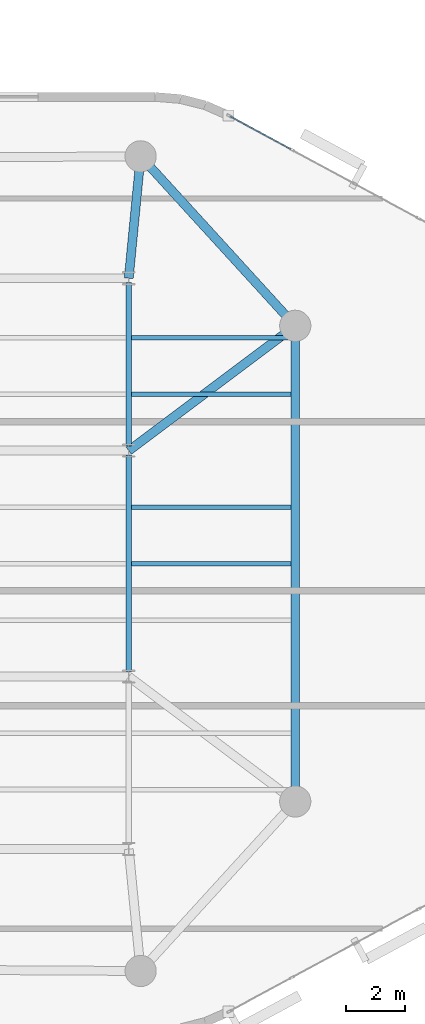
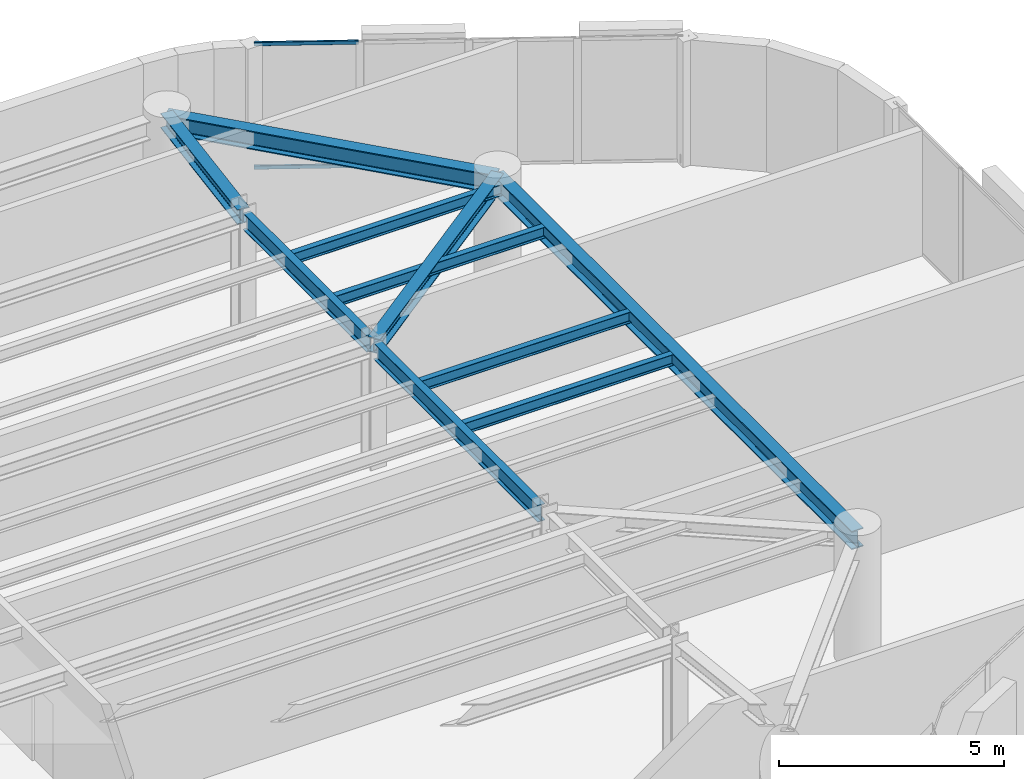
# One storey, part 5 of 13: 10 beams, 2 members, 1 element without a shape of its own.
"""IFC4 building model written with IfcOpenShell, lengths in metres."""

from ifc_helpers import new_model, si_unit, direction, frame, origin, origin_2d, place, context, subcontext, project, spatial, hollow_rectangle, i_section, extrude, material, layer, layer_set, material_profile, profile_set, type_object, element, aggregate, save


model = new_model("IFC4")

# Units and contexts
model_context = context("Model", 3, precision=1e-05, world=origin(), true_north=direction((0.0, 1.0)))
body_context = subcontext(model_context, "Body", "Model", "MODEL_VIEW")
ifc_project = project(units=[si_unit("LENGTHUNIT", "METRE"), si_unit("AREAUNIT", "SQUARE_METRE"), si_unit("VOLUMEUNIT", "CUBIC_METRE"), si_unit("PLANEANGLEUNIT", "RADIAN"), si_unit("MASSUNIT", "GRAM", prefix="KILO")], contexts=[model_context])

# Site, building, storey
site_placement = place(None, origin())
site = spatial("IfcSite", under=ifc_project, at=site_placement, CompositionType="ELEMENT")
building_placement = place(site_placement, origin())
building = spatial("IfcBuilding", under=site, at=building_placement, Name="An Khanh Terracotta Commons", CompositionType="ELEMENT")
storey_placement = place(building_placement, frame((0.0, 0.0, 222.89990234375)))
storey = spatial("IfcBuildingStorey", under=building, at=storey_placement, Name="L58", CompositionType="ELEMENT", Elevation=222.89990234375)

# Beams
ifc_material_1 = material(Name="Steel S355J2", Category="steel")
ifc_material_profile_1 = material_profile(ifc_material_1, i_section(OverallWidth=0.300048828125, OverallDepth=0.39990234375, WebThickness=0.013427734375, FlangeThickness=0.02392578125, FilletRadius=0.027099609375, at=origin_2d()), Name="HEB400")
ifc_profile_set_1 = profile_set([ifc_material_profile_1], Name="Steel S355J2")
beam_type_1 = type_object("IfcBeamType", Name="BM-HEB400", PredefinedType="BEAM", material=ifc_profile_set_1)
beam_1_placement = place(storey_placement, frame((59.60009765625, 32.0, 3.2001953125), z_axis=(-0.800008370399, -0.599988839305, 0.0), x_axis=(0.599988839305, -0.800008370399, 0.0)))
element("IfcBeam", 1, at=beam_1_placement, inside=storey, type_object=beam_type_1, Name="L58 Mega-Column Tie Girder 4", PredefinedType="BEAM", context=body_context, shape_type="SweptSolid", body=[
    extrude(i_section(OverallWidth=0.300048828125, OverallDepth=0.39990234375, WebThickness=0.013427734375, FlangeThickness=0.02392578125, FilletRadius=0.027099609375, at=origin_2d()), origin(), (0.0, 0.0, 1.0), 7.0),
])
beam_2_placement = place(storey_placement, frame((54.39990234375, 37.699951171875, 3.2001953125), z_axis=(-0.097079917443, -0.995276589511, 0.0), x_axis=(0.995276589511, -0.097079917443, 0.0)))
element("IfcBeam", 2, at=beam_2_placement, inside=storey, type_object=beam_type_1, Name="L58 Mega-Column Tie Girder 5", PredefinedType="BEAM", context=body_context, shape_type="SweptSolid", body=[
    extrude(i_section(OverallWidth=0.300048828125, OverallDepth=0.39990234375, WebThickness=0.013427734375, FlangeThickness=0.02392578125, FilletRadius=0.027099609375, at=origin_2d()), origin(), (0.0, 0.0, 1.0), 4.119384765625),
])
ifc_material_profile_2 = material_profile(ifc_material_1, i_section(OverallWidth=0.300048828125, OverallDepth=0.5, WebThickness=0.014404296875, FlangeThickness=0.028076171875, FilletRadius=0.027099609375, at=origin_2d()), Name="HEB500")
ifc_profile_set_2 = profile_set([ifc_material_profile_2], Name="Steel S355J2")
beam_type_2 = type_object("IfcBeamType", Name="BM-HEB500", PredefinedType="BEAM", material=ifc_profile_set_2)
beam_3_placement = place(storey_placement, frame((59.60009765625, 16.0, 3.150146484375), z_axis=(0.0, 1.0, 0.0), x_axis=(-1.0, 0.0, 0.0)))
element("IfcBeam", 3, at=beam_3_placement, inside=storey, type_object=beam_type_2, Name="L58 Perimeter Ring Spandrel 3", PredefinedType="BEAM", context=body_context, shape_type="SweptSolid", body=[
    extrude(i_section(OverallWidth=0.300048828125, OverallDepth=0.5, WebThickness=0.014404296875, FlangeThickness=0.028076171875, FilletRadius=0.027099609375, at=origin_2d()), origin(), (0.0, 0.0, 1.0), 16.0),
])
beam_4_placement = place(storey_placement, frame((59.60009765625, 32.0, 3.150146484375), z_axis=(-0.673978953902, 0.738750546326, 0.0), x_axis=(-0.738750546326, -0.673978953902, 0.0)))
element("IfcBeam", 4, at=beam_4_placement, inside=storey, type_object=beam_type_2, Name="L58 Perimeter Ring Spandrel 4", PredefinedType="BEAM", context=body_context, shape_type="SweptSolid", body=[
    extrude(i_section(OverallWidth=0.300048828125, OverallDepth=0.5, WebThickness=0.014404296875, FlangeThickness=0.028076171875, FilletRadius=0.027099609375, at=origin_2d()), origin(), (0.0, 0.0, 1.0), 7.715576171875),
])
ifc_material_profile_3 = material_profile(ifc_material_1, i_section(OverallWidth=0.14990234375, OverallDepth=0.300048828125, WebThickness=0.007080078125, FlangeThickness=0.0107421875, FilletRadius=0.014892578125, at=origin_2d()), Name="IPE300")
ifc_profile_set_3 = profile_set([ifc_material_profile_3], Name="Steel S355J2")
beam_type_3 = type_object("IfcBeamType", Name="BM-IPE300", PredefinedType="JOIST", material=ifc_profile_set_3)
for number, where, z_axis, x_axis, name in (
    (5, (54.094970703125, 24.0, 3.25), (1.0, 0.0, 0.0), (0.0, 1.0, 0.0), "L58 Riverfront Composite Joist 4"),
    (6, (54.094970703125, 25.89990234375, 3.25), (1.0, 0.0, 0.0), (0.0, 1.0, 0.0), "L58 Riverfront Composite Joist 5"),
    (7, (54.094970703125, 29.699951171875, 3.25), (1.0, 0.0, 0.0), (0.0, 1.0, 0.0), "L58 Riverfront Composite Joist 6"),
    (8, (54.094970703125, 31.60009765625, 3.25), (1.0, 0.0, 0.0), (0.0, 1.0, 0.0), "L58 Riverfront Composite Joist 7"),
):
    element("IfcBeam", number, at=place(storey_placement, frame(where, z_axis=z_axis, x_axis=x_axis)), inside=storey, type_object=beam_type_3, Name=name, PredefinedType="JOIST", context=body_context, shape_type="SweptSolid", body=[
        extrude(i_section(OverallWidth=0.14990234375, OverallDepth=0.300048828125, WebThickness=0.007080078125, FlangeThickness=0.0107421875, FilletRadius=0.014892578125, at=origin_2d()), origin(), (0.0, 0.0, 1.0), 5.35498046875),
    ])
ifc_material_profile_4 = material_profile(ifc_material_1, i_section(OverallWidth=0.18994140625, OverallDepth=0.449951171875, WebThickness=0.009521484375, FlangeThickness=0.0146484375, FilletRadius=0.02099609375, at=origin_2d()), Name="IPE450")
ifc_profile_set_4 = profile_set([ifc_material_profile_4], Name="Steel S355J2")
beam_type_4 = type_object("IfcBeamType", Name="BM-IPE450", PredefinedType="JOIST", material=ifc_profile_set_4)
beam_5_placement = place(storey_placement, frame((54.0, 20.35009765625, 3.175048828125), z_axis=(0.0, 1.0, 0.0), x_axis=(-1.0, 0.0, 0.0)))
element("IfcBeam", 9, at=beam_5_placement, inside=storey, type_object=beam_type_4, Name="L58 East Spine Girder 2", PredefinedType="JOIST", context=body_context, shape_type="SweptSolid", body=[
    extrude(i_section(OverallWidth=0.18994140625, OverallDepth=0.449951171875, WebThickness=0.009521484375, FlangeThickness=0.0146484375, FilletRadius=0.02099609375, at=origin_2d()), origin(), (0.0, 0.0, 1.0), 7.2998046875),
])
beam_6_placement = place(storey_placement, frame((54.0, 27.949951171875, 3.175048828125), z_axis=(0.0, 1.0, 0.0), x_axis=(-1.0, 0.0, 0.0)))
element("IfcBeam", 10, at=beam_6_placement, inside=storey, type_object=beam_type_4, Name="L58 East Spine Girder 3", PredefinedType="JOIST", context=body_context, shape_type="SweptSolid", body=[
    extrude(i_section(OverallWidth=0.18994140625, OverallDepth=0.449951171875, WebThickness=0.009521484375, FlangeThickness=0.0146484375, FilletRadius=0.02099609375, at=origin_2d()), origin(), (0.0, 0.0, 1.0), 5.5),
])

# Curtain wall, members
ifc_material_2 = material(Name="Anodised Aluminium 6063-T6", Category="aluminium")
ifc_layer = layer(ifc_material_2, 0.2099609375, Name="Anodised Aluminium 6063-T6")
ifc_layer_set = layer_set([ifc_layer], Name="Anodised Aluminium 6063-T6")
curtain_wall_type = type_object("IfcCurtainWallType", Name="CW-SYS-03", PredefinedType="USERDEFINED", material=ifc_layer_set)
curtain_wall_placement = place(storey_placement, origin())
curtain_wall = element("IfcCurtainWall", 11, at=curtain_wall_placement, inside=storey, type_object=curtain_wall_type, Name="L58 CW-03 Unitised Curtain Wall CW-L58-16", ObjectType="UNITISED CURTAIN WALL", PredefinedType="USERDEFINED")
ifc_material_profile_5 = material_profile(ifc_material_2, hollow_rectangle(XDim=0.050048828125, YDim=0.10009765625, WallThickness=0.003173828125, InnerFilletRadius=0.003173828125, OuterFilletRadius=0.00634765625, at=origin_2d()), Name="RHS100x50x3.2")
ifc_profile_set_5 = profile_set([ifc_material_profile_5], Name="Anodised Aluminium 6063-T6")
member_type = type_object("IfcMemberType", Name="CWT-RHS100x50x3.2", PredefinedType="USERDEFINED", material=ifc_profile_set_5)
member_1_placement = place(storey_placement, frame((59.455078125, 37.94140625, 0.025146484375), z_axis=(-0.879779245677, 0.475382455373, 0.0), x_axis=(-0.475382455373, -0.879779245677, 0.0)))
member_1 = element("IfcMember", 12, at=member_1_placement, type_object=member_type, Name="CW-03 transom 4.1", ObjectType="TRANSOM", PredefinedType="USERDEFINED", context=body_context, shape_type="SweptSolid", body=[
    extrude(hollow_rectangle(XDim=0.050048828125, YDim=0.10009765625, WallThickness=0.003173828125, InnerFilletRadius=0.003173828125, OuterFilletRadius=0.00634765625, at=origin_2d()), origin(), (0.0, 0.0, 1.0), 2.314697265625),
])
member_2_placement = place(storey_placement, frame((59.455078125, 37.94140625, 3.375), z_axis=(-0.879779245677, 0.475382455373, 0.0), x_axis=(-0.475382455373, -0.879779245677, 0.0)))
member_2 = element("IfcMember", 13, at=member_2_placement, type_object=member_type, Name="CW-03 transom 4.2", ObjectType="TRANSOM", PredefinedType="USERDEFINED", context=body_context, shape_type="SweptSolid", body=[
    extrude(hollow_rectangle(XDim=0.050048828125, YDim=0.10009765625, WallThickness=0.003173828125, InnerFilletRadius=0.003173828125, OuterFilletRadius=0.00634765625, at=origin_2d()), origin(), (0.0, 0.0, 1.0), 2.314697265625),
])
aggregate(curtain_wall, [member_1, member_2])

save(model, "model.ifc")
